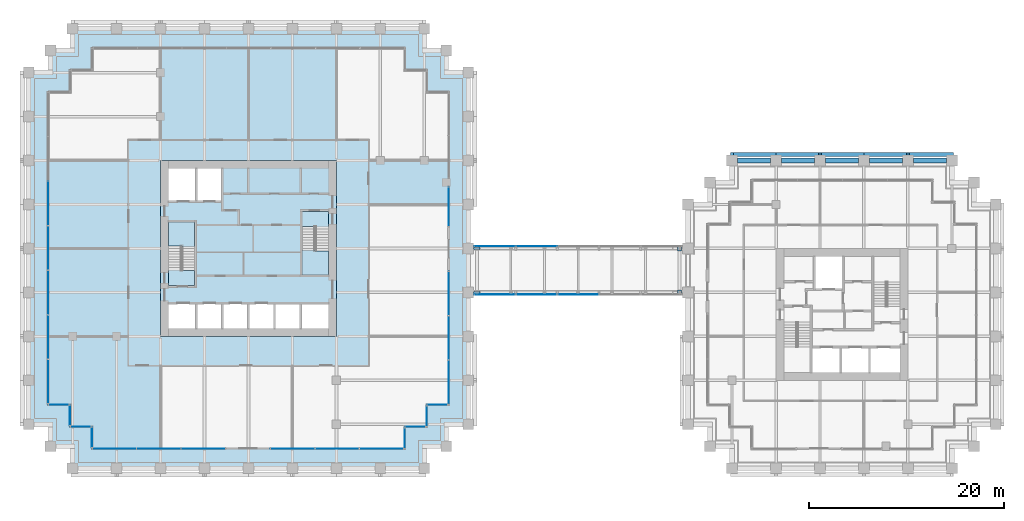
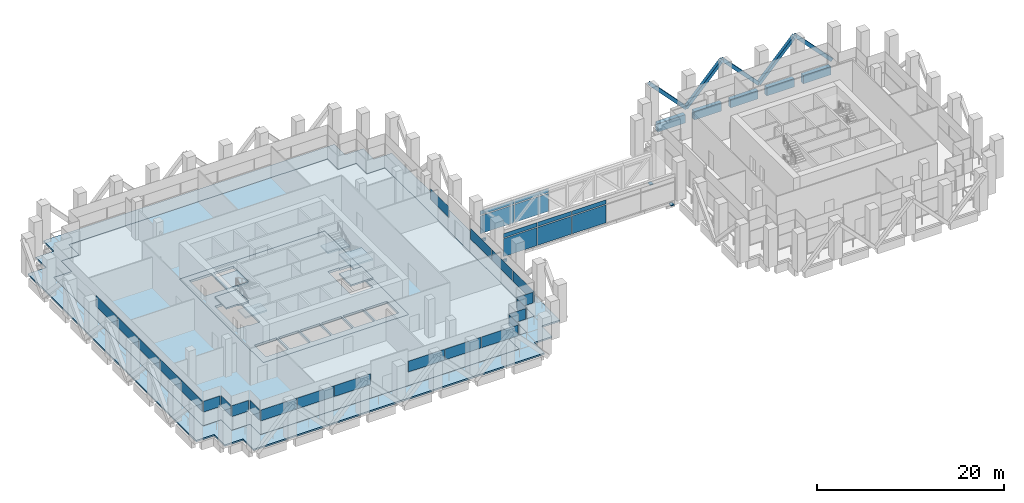
# One storey, part 34 of 44: 33 plates, 9 slabs, 7 beams, 7 members, 17 elements without a shape of their own.
"""IFC4 building model written with IfcOpenShell, lengths in metres."""

from ifc_helpers import new_model, si_unit, direction, frame, origin, origin_2d, place, context, subcontext, project, spatial, polyline, rectangle, hollow_rectangle, outline, extrude, material, layer, layer_set, material_profile, profile_set, type_object, element, aggregate, save


model = new_model("IFC4")

# Units and contexts
model_context = context("Model", 3, precision=1e-05, world=origin(), true_north=direction((0.0, 1.0)))
body_context = subcontext(model_context, "Body", "Model", "MODEL_VIEW")
ifc_project = project(units=[si_unit("LENGTHUNIT", "METRE"), si_unit("AREAUNIT", "SQUARE_METRE"), si_unit("VOLUMEUNIT", "CUBIC_METRE"), si_unit("PLANEANGLEUNIT", "RADIAN"), si_unit("MASSUNIT", "GRAM", prefix="KILO")], contexts=[model_context])

# Site, building, storey
site_placement = place(None, origin())
site = spatial("IfcSite", under=ifc_project, at=site_placement, CompositionType="ELEMENT")
building_placement = place(site_placement, origin())
building = spatial("IfcBuilding", under=site, at=building_placement, Name="Altepetl Exchange Towers", CompositionType="ELEMENT")
storey_placement = place(building_placement, frame((0.0, 0.0, 87.0)))
storey = spatial("IfcBuildingStorey", under=building, at=storey_placement, Name="L21 Refuge", CompositionType="ELEMENT", Elevation=87.0)

# Members
ifc_material_1 = material(Name="Steel S355", Category="steel")
ifc_material_profile_1 = material_profile(ifc_material_1, hollow_rectangle(XDim=0.406005859375, YDim=0.406005859375, WallThickness=0.014892578125, at=origin_2d()), Name="HSS406X406X15.9")
ifc_profile_set_1 = profile_set([ifc_material_profile_1], Name="Steel S355")
member_type_1 = type_object("IfcMemberType", Name="Belt diagonal HSS406X406X15.9", PredefinedType="BRACE", material=ifc_profile_set_1)
for number, where, z_axis, x_axis, name in (
    (1, (121.5, 59.1298828125, 0.0), (-0.687744647911, 0.0, 0.725952683906), (0.0, -1.0, 0.0), "brc:B:L21:010"),
    (2, (117.0, 59.1298828125, 4.75), (-0.687744647911, 0.0, -0.725952683906), (0.0, -1.0, 0.0), "brc:B:L21:011"),
    (3, (112.5, 59.1298828125, 0.0), (-0.687744647911, 0.0, 0.725952683906), (0.0, -1.0, 0.0), "brc:B:L21:012"),
    (4, (108.0, 59.1298828125, 4.75), (-0.687744647911, 0.0, -0.725952683906), (0.0, -1.0, 0.0), "brc:B:L21:013"),
    (5, (103.5, 59.1298828125, 0.0), (-0.687744647911, 0.0, 0.725952683906), (0.0, -1.0, 0.0), "brc:B:L21:014"),
):
    element("IfcMember", number, at=place(storey_placement, frame(where, z_axis=z_axis, x_axis=x_axis)), inside=storey, type_object=member_type_1, Name=name, PredefinedType="BRACE", context=body_context, shape_type="SweptSolid", body=[
        extrude(hollow_rectangle(XDim=0.406005859375, YDim=0.406005859375, WallThickness=0.014892578125, at=origin_2d()), origin(), (0.0, 0.0, 1.0), 6.543212890625),
    ])

# Beams
ifc_material_profile_2 = material_profile(ifc_material_1, hollow_rectangle(XDim=0.202880859375, YDim=0.304931640625, WallThickness=0.01171875, at=origin_2d()), Name="HSS305X203X12.7")
ifc_profile_set_2 = profile_set([ifc_material_profile_2], Name="Steel S355")
beam_type_1 = type_object("IfcBeamType", Name="Bridge deck beam HSS305X203X12.7", PredefinedType="BEAM", material=ifc_profile_set_2)
for number, where, z_axis, x_axis, name in (
    (6, (72.550048828125, 45.0, -0.70849609375), (1.0, 0.0, 0.0), (0.0, 1.0, 0.0), "bm:X:L21:corbel-as"),
    (7, (72.550048828125, 49.5, -0.70849609375), (1.0, 0.0, 0.0), (0.0, 1.0, 0.0), "bm:X:L21:corbel-an"),
):
    element("IfcBeam", number, at=place(storey_placement, frame(where, z_axis=z_axis, x_axis=x_axis)), inside=storey, type_object=beam_type_1, Name=name, PredefinedType="BEAM", context=body_context, shape_type="SweptSolid", body=[
        extrude(hollow_rectangle(XDim=0.202880859375, YDim=0.304931640625, WallThickness=0.01171875, at=origin_2d()), origin(), (0.0, 0.0, 1.0), 0.64990234375),
    ])

# Members
ifc_material_2 = material(Name="Steel S460", Category="steel")
ifc_material_profile_3 = material_profile(ifc_material_2, rectangle(XDim=0.5, YDim=0.1201171875, at=origin_2d()), Name="500 x 120")
ifc_profile_set_3 = profile_set([ifc_material_profile_3], Name="Steel S460")
member_type_2 = type_object("IfcMemberType", Name="Sliding bearing 500x120", PredefinedType="USERDEFINED", material=ifc_profile_set_3)
for number, where, z_axis, x_axis, name in (
    (8, (93.39990234375, 45.0, -0.615966796875), (1.0, 0.0, 0.0), (0.0, 1.0, 0.0), "Sliding bearing BR1S"),
    (9, (93.39990234375, 49.5, -0.615966796875), (1.0, 0.0, 0.0), (0.0, 1.0, 0.0), "Sliding bearing BR1N"),
):
    element("IfcMember", number, at=place(storey_placement, frame(where, z_axis=z_axis, x_axis=x_axis)), inside=storey, type_object=member_type_2, Name=name, ObjectType="BEARING", PredefinedType="USERDEFINED", context=body_context, shape_type="SweptSolid", body=[
        extrude(rectangle(XDim=0.5, YDim=0.1201171875, at=origin_2d()), origin(), (0.0, 0.0, 1.0), 0.400146484375),
    ])

# Beams
ifc_material_3 = material(Name="Concrete C50/60 precast with cantera amarilla facing", Category="concrete")
ifc_material_profile_4 = material_profile(ifc_material_3, rectangle(XDim=0.5, YDim=1.10009765625, at=origin_2d()), Name="500 x 1100")
ifc_profile_set_4 = profile_set([ifc_material_profile_4], Name="Concrete C50/60 precast with cantera amarilla facing")
beam_type_2 = type_object("IfcBeamType", Name="Spandrel beam 500x1100 cantera amarilla", PredefinedType="SPANDREL", material=ifc_profile_set_4)
for number, where, z_axis, x_axis, name in (
    (10, (120.949951171875, 58.5, -0.75), (-1.0, 0.0, 0.0), (0.0, -1.0, 0.0), "sp:B:L21:018"),
    (11, (116.449951171875, 58.5, -0.75), (-1.0, 0.0, 0.0), (0.0, -1.0, 0.0), "sp:B:L21:019"),
    (12, (111.949951171875, 58.5, -0.75), (-1.0, 0.0, 0.0), (0.0, -1.0, 0.0), "sp:B:L21:020"),
    (13, (107.449951171875, 58.5, -0.75), (-1.0, 0.0, 0.0), (0.0, -1.0, 0.0), "sp:B:L21:021"),
):
    element("IfcBeam", number, at=place(storey_placement, frame(where, z_axis=z_axis, x_axis=x_axis)), inside=storey, type_object=beam_type_2, Name=name, PredefinedType="SPANDREL", context=body_context, shape_type="SweptSolid", body=[
        extrude(rectangle(XDim=0.5, YDim=1.10009765625, at=origin_2d()), origin(), (0.0, 0.0, 1.0), 3.39990234375),
    ])
ifc_material_4 = material(Name="Concrete C50/60 precast with cantera rosa facing", Category="concrete")
ifc_material_profile_5 = material_profile(ifc_material_4, rectangle(XDim=0.5, YDim=1.10009765625, at=origin_2d()), Name="500 x 1100")
ifc_profile_set_5 = profile_set([ifc_material_profile_5], Name="Concrete C50/60 precast with cantera rosa facing")
beam_type_3 = type_object("IfcBeamType", Name="Spandrel beam 500x1100 cantera rosa", PredefinedType="SPANDREL", material=ifc_profile_set_5)
beam_placement = place(storey_placement, frame((102.949951171875, 58.5, -0.75), z_axis=(-1.0, 0.0, 0.0), x_axis=(0.0, -1.0, 0.0)))
element("IfcBeam", 14, at=beam_placement, inside=storey, type_object=beam_type_3, Name="sp:B:L21:022", PredefinedType="SPANDREL", context=body_context, shape_type="SweptSolid", body=[
    extrude(rectangle(XDim=0.5, YDim=1.10009765625, at=origin_2d()), origin(), (0.0, 0.0, 1.0), 3.39990234375),
])

# Slabs
ifc_material_5 = material(Name="Concrete C40/50", Category="concrete")
ifc_layer_1 = layer(ifc_material_5, 0.199951171875)
ifc_layer_set_1 = layer_set([ifc_layer_1], Name="Concrete C40/50")
slab_type_1 = type_object("IfcSlabType", Name="Composite floor slab 200", PredefinedType="FLOOR", material=ifc_layer_set_1)
slab_1_placement = place(storey_placement, frame((0.0, 0.0, -0.199951171875)))
element("IfcSlab", 15, at=slab_1_placement, inside=storey, type_object=slab_type_1, Name="slab:A:L21:strip0", PredefinedType="FLOOR", context=body_context, shape_type="SweptSolid", body=[
    extrude(outline(polyline([(31.25, 67.75), (31.25, 65.5), (29.0, 65.5), (29.0, 33.5), (31.25, 33.5), (31.25, 31.25), (33.5, 31.25), (33.5, 29.0), (65.5, 29.0), (65.5, 31.25), (67.75, 31.25), (67.75, 33.5), (70.0, 33.5), (70.0, 65.5), (67.75, 65.5), (67.75, 67.75), (65.5, 67.75), (65.5, 70.0), (33.5, 70.0), (33.5, 67.75), (31.25, 67.75)]), holes=[polyline([(58.5, 58.5), (58.5, 40.5), (40.5, 40.5), (40.5, 58.5), (58.5, 58.5)])]), origin(), (0.0, 0.0, 1.0), 0.199951171875),
])
ifc_layer_2 = layer(ifc_material_5, 0.300048828125)
ifc_layer_set_2 = layer_set([ifc_layer_2], Name="Concrete C40/50")
slab_type_2 = type_object("IfcSlabType", Name="Core floor slab 300", PredefinedType="FLOOR", material=ifc_layer_set_2)
slab_2_placement = place(storey_placement, frame((0.0, 0.0, -0.300048828125)))
element("IfcSlab", 16, at=slab_2_placement, inside=storey, type_object=slab_type_2, Name="slab:A:L21:core0", PredefinedType="FLOOR", context=body_context, shape_type="SweptSolid", body=[
    extrude(outline(polyline([(40.5, 40.5), (58.5, 40.5), (58.5, 58.5), (40.5, 58.5), (40.5, 40.5)]), holes=[polyline([(41.300048828125, 43.800048828125), (44.06689453125, 43.800048828125), (44.06689453125, 41.300048828125), (41.300048828125, 41.300048828125), (41.300048828125, 43.800048828125)]), polyline([(44.26708984375, 43.800048828125), (46.73291015625, 43.800048828125), (46.73291015625, 41.300048828125), (44.26708984375, 41.300048828125), (44.26708984375, 43.800048828125)]), polyline([(46.93310546875, 43.800048828125), (49.39990234375, 43.800048828125), (49.39990234375, 41.300048828125), (46.93310546875, 41.300048828125), (46.93310546875, 43.800048828125)]), polyline([(52.06689453125, 43.800048828125), (52.06689453125, 41.300048828125), (49.60009765625, 41.300048828125), (49.60009765625, 43.800048828125), (52.06689453125, 43.800048828125)]), polyline([(54.73291015625, 43.800048828125), (54.73291015625, 41.300048828125), (52.26708984375, 41.300048828125), (52.26708984375, 43.800048828125), (54.73291015625, 43.800048828125)]), polyline([(54.93310546875, 43.800048828125), (57.699951171875, 43.800048828125), (57.699951171875, 41.300048828125), (54.93310546875, 41.300048828125), (54.93310546875, 43.800048828125)]), polyline([(55.0, 51.7490234375), (56.39990234375, 51.7490234375), (56.39990234375, 51.64990234375), (57.699951171875, 51.64990234375), (57.699951171875, 46.800048828125), (55.0, 46.800048828125), (55.0, 51.7490234375)]), polyline([(44.0, 47.2509765625), (42.60009765625, 47.2509765625), (42.60009765625, 47.35009765625), (41.300048828125, 47.35009765625), (41.300048828125, 52.199951171875), (44.0, 52.199951171875), (44.0, 47.2509765625)]), polyline([(44.06689453125, 57.699951171875), (44.06689453125, 54.39990234375), (41.300048828125, 54.39990234375), (41.300048828125, 57.699951171875), (44.06689453125, 57.699951171875)]), polyline([(46.73291015625, 57.699951171875), (46.73291015625, 54.39990234375), (44.26708984375, 54.39990234375), (44.26708984375, 57.699951171875), (46.73291015625, 57.699951171875)])]), origin(), (0.0, 0.0, 1.0), 0.300048828125),
])

# Curtain wall, plates
ifc_material_6 = material(Name="Aluminium 6063-T6 glazing", Category="aluminium")
curtain_wall_type_1 = type_object("IfcCurtainWallType", Name="Bridge enclosure system", PredefinedType="NOTDEFINED", material=ifc_material_6)
curtain_wall_1_placement = place(storey_placement, origin())
curtain_wall_1 = element("IfcCurtainWall", 17, at=curtain_wall_1_placement, inside=storey, type_object=curtain_wall_type_1, Name="CW6 run", PredefinedType="NOTDEFINED")
ifc_material_7 = material(Name="Glass 6-16-6 low emissivity", Category="glass")
ifc_layer_3 = layer(ifc_material_7, 0.028076171875)
ifc_layer_set_3 = layer_set([ifc_layer_3], Name="Glass 6-16-6 low emissivity")
plate_type_1 = type_object("IfcPlateType", Name="Glass panel 28 double glazed", PredefinedType="CURTAIN_PANEL", material=ifc_layer_set_3)
plate_1_placement = place(storey_placement, frame((74.7451171875, 44.784912109375, 0.0)))
plate_1 = element("IfcPlate", 18, at=plate_1_placement, type_object=plate_type_1, Name="GP1 panel", PredefinedType="CURTAIN_PANEL", context=body_context, shape_type="SweptSolid", body=[
    extrude(rectangle(XDim=4.169921875, YDim=0.028076171875, at=origin_2d()), origin(), (0.0, 0.0, 1.0), 2.340087890625),
])
plate_2_placement = place(storey_placement, frame((74.7451171875, 44.784912109375, 2.4599609375)))
plate_2 = element("IfcPlate", 19, at=plate_2_placement, type_object=plate_type_1, Name="GP1 panel", PredefinedType="CURTAIN_PANEL", context=body_context, shape_type="SweptSolid", body=[
    extrude(rectangle(XDim=4.169921875, YDim=0.028076171875, at=origin_2d()), origin(), (0.0, 0.0, 1.0), 0.5400390625),
])
plate_3_placement = place(storey_placement, frame((78.989990234375, 44.784912109375, 0.0)))
plate_3 = element("IfcPlate", 20, at=plate_3_placement, type_object=plate_type_1, Name="GP1 panel", PredefinedType="CURTAIN_PANEL", context=body_context, shape_type="SweptSolid", body=[
    extrude(rectangle(XDim=4.199951171875, YDim=0.028076171875, at=origin_2d()), origin(), (0.0, 0.0, 1.0), 2.340087890625),
])
plate_4_placement = place(storey_placement, frame((78.989990234375, 44.784912109375, 2.4599609375)))
plate_4 = element("IfcPlate", 21, at=plate_4_placement, type_object=plate_type_1, Name="GP1 panel", PredefinedType="CURTAIN_PANEL", context=body_context, shape_type="SweptSolid", body=[
    extrude(rectangle(XDim=4.199951171875, YDim=0.028076171875, at=origin_2d()), origin(), (0.0, 0.0, 1.0), 0.5400390625),
])
plate_5_placement = place(storey_placement, frame((83.25, 44.784912109375, 0.0)))
plate_5 = element("IfcPlate", 22, at=plate_5_placement, type_object=plate_type_1, Name="GP1 panel", PredefinedType="CURTAIN_PANEL", context=body_context, shape_type="SweptSolid", body=[
    extrude(rectangle(XDim=4.199951171875, YDim=0.028076171875, at=origin_2d()), origin(), (0.0, 0.0, 1.0), 2.340087890625),
])
plate_6_placement = place(storey_placement, frame((83.25, 44.784912109375, 2.4599609375)))
plate_6 = element("IfcPlate", 23, at=plate_6_placement, type_object=plate_type_1, Name="GP1 panel", PredefinedType="CURTAIN_PANEL", context=body_context, shape_type="SweptSolid", body=[
    extrude(rectangle(XDim=4.199951171875, YDim=0.028076171875, at=origin_2d()), origin(), (0.0, 0.0, 1.0), 0.5400390625),
])
aggregate(curtain_wall_1, [plate_1, plate_2, plate_3, plate_4, plate_5, plate_6])

curtain_wall_2_placement = place(storey_placement, origin())
curtain_wall_2 = element("IfcCurtainWall", 24, at=curtain_wall_2_placement, inside=storey, type_object=curtain_wall_type_1, Name="CW6 run", PredefinedType="NOTDEFINED")
plate_7_placement = place(storey_placement, frame((74.7451171875, 49.715087890625, 0.0)))
plate_7 = element("IfcPlate", 25, at=plate_7_placement, type_object=plate_type_1, Name="GP1 panel", PredefinedType="CURTAIN_PANEL", context=body_context, shape_type="SweptSolid", body=[
    extrude(rectangle(XDim=4.169921875, YDim=0.028076171875, at=origin_2d()), origin(), (0.0, 0.0, 1.0), 2.340087890625),
])
plate_8_placement = place(storey_placement, frame((74.7451171875, 49.715087890625, 2.4599609375)))
plate_8 = element("IfcPlate", 26, at=plate_8_placement, type_object=plate_type_1, Name="GP1 panel", PredefinedType="CURTAIN_PANEL", context=body_context, shape_type="SweptSolid", body=[
    extrude(rectangle(XDim=4.169921875, YDim=0.028076171875, at=origin_2d()), origin(), (0.0, 0.0, 1.0), 0.5400390625),
])
plate_9_placement = place(storey_placement, frame((78.989990234375, 49.715087890625, 0.0)))
plate_9 = element("IfcPlate", 27, at=plate_9_placement, type_object=plate_type_1, Name="GP1 panel", PredefinedType="CURTAIN_PANEL", context=body_context, shape_type="SweptSolid", body=[
    extrude(rectangle(XDim=4.199951171875, YDim=0.028076171875, at=origin_2d()), origin(), (0.0, 0.0, 1.0), 2.340087890625),
])
plate_10_placement = place(storey_placement, frame((78.989990234375, 49.715087890625, 2.4599609375)))
plate_10 = element("IfcPlate", 28, at=plate_10_placement, type_object=plate_type_1, Name="GP1 panel", PredefinedType="CURTAIN_PANEL", context=body_context, shape_type="SweptSolid", body=[
    extrude(rectangle(XDim=4.199951171875, YDim=0.028076171875, at=origin_2d()), origin(), (0.0, 0.0, 1.0), 0.5400390625),
])
aggregate(curtain_wall_2, [plate_7, plate_8, plate_9, plate_10])

curtain_wall_type_2 = type_object("IfcCurtainWallType", Name="Refuge slit glazing system", PredefinedType="NOTDEFINED", material=ifc_material_6)
curtain_wall_3_placement = place(storey_placement, origin())
curtain_wall_3 = element("IfcCurtainWall", 29, at=curtain_wall_3_placement, inside=storey, type_object=curtain_wall_type_2, Name="CW3 run", PredefinedType="NOTDEFINED")
ifc_material_8 = material(Name="Glass 8-20-8 solar control", Category="glass")
ifc_layer_4 = layer(ifc_material_8, 0.035888671875)
ifc_layer_set_4 = layer_set([ifc_layer_4], Name="Glass 8-20-8 solar control")
plate_type_2 = type_object("IfcPlateType", Name="Glass panel 36 double glazed", PredefinedType="CURTAIN_PANEL", material=ifc_layer_set_4)
plate_11_placement = place(storey_placement, frame((29.0, 54.107177734375, 1.800048828125), z_axis=(0.0, 0.0, 1.0), x_axis=(0.0, -1.0, 0.0)))
plate_11 = element("IfcPlate", 30, at=plate_11_placement, type_object=plate_type_2, Name="GP2 panel", PredefinedType="CURTAIN_PANEL", context=body_context, shape_type="SweptSolid", body=[
    extrude(rectangle(XDim=4.4970703125, YDim=0.035888671875, at=origin_2d()), origin(), (0.0, 0.0, 1.0), 1.39990234375),
])
plate_12_placement = place(storey_placement, frame((29.0, 49.550048828125, 1.800048828125), z_axis=(0.0, 0.0, 1.0), x_axis=(0.0, -1.0, 0.0)))
plate_12 = element("IfcPlate", 31, at=plate_12_placement, type_object=plate_type_2, Name="GP2 panel", PredefinedType="CURTAIN_PANEL", context=body_context, shape_type="SweptSolid", body=[
    extrude(rectangle(XDim=4.4970703125, YDim=0.035888671875, at=origin_2d()), origin(), (0.0, 0.0, 1.0), 1.39990234375),
])
plate_13_placement = place(storey_placement, frame((29.0, 44.992919921875, 1.800048828125), z_axis=(0.0, 0.0, 1.0), x_axis=(0.0, -1.0, 0.0)))
plate_13 = element("IfcPlate", 32, at=plate_13_placement, type_object=plate_type_2, Name="GP2 panel", PredefinedType="CURTAIN_PANEL", context=body_context, shape_type="SweptSolid", body=[
    extrude(rectangle(XDim=4.4970703125, YDim=0.035888671875, at=origin_2d()), origin(), (0.0, 0.0, 1.0), 1.39990234375),
])
plate_14_placement = place(storey_placement, frame((29.0, 40.435791015625, 1.800048828125), z_axis=(0.0, 0.0, 1.0), x_axis=(0.0, -1.0, 0.0)))
plate_14 = element("IfcPlate", 33, at=plate_14_placement, type_object=plate_type_2, Name="GP2 panel", PredefinedType="CURTAIN_PANEL", context=body_context, shape_type="SweptSolid", body=[
    extrude(rectangle(XDim=4.4970703125, YDim=0.035888671875, at=origin_2d()), origin(), (0.0, 0.0, 1.0), 1.39990234375),
])
plate_15_placement = place(storey_placement, frame((29.0, 35.8935546875, 1.800048828125), z_axis=(0.0, 0.0, 1.0), x_axis=(0.0, -1.0, 0.0)))
plate_15 = element("IfcPlate", 34, at=plate_15_placement, type_object=plate_type_2, Name="GP2 panel", PredefinedType="CURTAIN_PANEL", context=body_context, shape_type="SweptSolid", body=[
    extrude(rectangle(XDim=4.467041015625, YDim=0.035888671875, at=origin_2d()), origin(), (0.0, 0.0, 1.0), 1.39990234375),
])
aggregate(curtain_wall_3, [plate_11, plate_12, plate_13, plate_14, plate_15])

# Curtain wall, plate
curtain_wall_4_placement = place(storey_placement, origin())
curtain_wall_4 = element("IfcCurtainWall", 35, at=curtain_wall_4_placement, inside=storey, type_object=curtain_wall_type_2, Name="CW3 run", PredefinedType="NOTDEFINED")
plate_16_placement = place(storey_placement, frame((30.074951171875, 33.5, 1.800048828125)))
plate_16 = element("IfcPlate", 36, at=plate_16_placement, type_object=plate_type_2, Name="GP2 panel", PredefinedType="CURTAIN_PANEL", context=body_context, shape_type="SweptSolid", body=[
    extrude(rectangle(XDim=2.030029296875, YDim=0.035888671875, at=origin_2d()), origin(), (0.0, 0.0, 1.0), 1.39990234375),
])
aggregate(curtain_wall_4, [plate_16])

curtain_wall_5_placement = place(storey_placement, origin())
curtain_wall_5 = element("IfcCurtainWall", 37, at=curtain_wall_5_placement, inside=storey, type_object=curtain_wall_type_2, Name="CW3 run", PredefinedType="NOTDEFINED")
plate_17_placement = place(storey_placement, frame((31.25, 32.425048828125, 1.800048828125), z_axis=(0.0, 0.0, 1.0), x_axis=(0.0, -1.0, 0.0)))
plate_17 = element("IfcPlate", 38, at=plate_17_placement, type_object=plate_type_2, Name="GP2 panel", PredefinedType="CURTAIN_PANEL", context=body_context, shape_type="SweptSolid", body=[
    extrude(rectangle(XDim=2.030029296875, YDim=0.035888671875, at=origin_2d()), origin(), (0.0, 0.0, 1.0), 1.39990234375),
])
aggregate(curtain_wall_5, [plate_17])

curtain_wall_6_placement = place(storey_placement, origin())
curtain_wall_6 = element("IfcCurtainWall", 39, at=curtain_wall_6_placement, inside=storey, type_object=curtain_wall_type_2, Name="CW3 run", PredefinedType="NOTDEFINED")
plate_18_placement = place(storey_placement, frame((32.324951171875, 31.25, 1.800048828125)))
plate_18 = element("IfcPlate", 40, at=plate_18_placement, type_object=plate_type_2, Name="GP2 panel", PredefinedType="CURTAIN_PANEL", context=body_context, shape_type="SweptSolid", body=[
    extrude(rectangle(XDim=2.030029296875, YDim=0.035888671875, at=origin_2d()), origin(), (0.0, 0.0, 1.0), 1.39990234375),
])
aggregate(curtain_wall_6, [plate_18])

curtain_wall_7_placement = place(storey_placement, origin())
curtain_wall_7 = element("IfcCurtainWall", 41, at=curtain_wall_7_placement, inside=storey, type_object=curtain_wall_type_2, Name="CW3 run", PredefinedType="NOTDEFINED")
plate_19_placement = place(storey_placement, frame((33.5, 30.175048828125, 1.800048828125), z_axis=(0.0, 0.0, 1.0), x_axis=(0.0, -1.0, 0.0)))
plate_19 = element("IfcPlate", 42, at=plate_19_placement, type_object=plate_type_2, Name="GP2 panel", PredefinedType="CURTAIN_PANEL", context=body_context, shape_type="SweptSolid", body=[
    extrude(rectangle(XDim=2.030029296875, YDim=0.035888671875, at=origin_2d()), origin(), (0.0, 0.0, 1.0), 1.39990234375),
])
aggregate(curtain_wall_7, [plate_19])

# Curtain wall, plates
curtain_wall_8_placement = place(storey_placement, origin())
curtain_wall_8 = element("IfcCurtainWall", 43, at=curtain_wall_8_placement, inside=storey, type_object=curtain_wall_type_2, Name="CW3 run", PredefinedType="NOTDEFINED")
plate_20_placement = place(storey_placement, frame((35.79345703125, 29.0, 1.800048828125)))
plate_20 = element("IfcPlate", 44, at=plate_20_placement, type_object=plate_type_2, Name="GP2 panel", PredefinedType="CURTAIN_PANEL", context=body_context, shape_type="SweptSolid", body=[
    extrude(rectangle(XDim=4.467041015625, YDim=0.035888671875, at=origin_2d()), origin(), (0.0, 0.0, 1.0), 1.39990234375),
])
plate_21_placement = place(storey_placement, frame((40.335693359375, 29.0, 1.800048828125)))
plate_21 = element("IfcPlate", 45, at=plate_21_placement, type_object=plate_type_2, Name="GP2 panel", PredefinedType="CURTAIN_PANEL", context=body_context, shape_type="SweptSolid", body=[
    extrude(rectangle(XDim=4.4970703125, YDim=0.035888671875, at=origin_2d()), origin(), (0.0, 0.0, 1.0), 1.39990234375),
])
plate_22_placement = place(storey_placement, frame((44.8779296875, 29.0, 1.800048828125)))
plate_22 = element("IfcPlate", 46, at=plate_22_placement, type_object=plate_type_2, Name="GP2 panel", PredefinedType="CURTAIN_PANEL", context=body_context, shape_type="SweptSolid", body=[
    extrude(rectangle(XDim=4.467041015625, YDim=0.035888671875, at=origin_2d()), origin(), (0.0, 0.0, 1.0), 1.39990234375),
])
aggregate(curtain_wall_8, [plate_20, plate_21, plate_22])

curtain_wall_9_placement = place(storey_placement, origin())
curtain_wall_9 = element("IfcCurtainWall", 47, at=curtain_wall_9_placement, inside=storey, type_object=curtain_wall_type_2, Name="CW3 run", PredefinedType="NOTDEFINED")
plate_23_placement = place(storey_placement, frame((54.022216796875, 29.0, 1.800048828125)))
plate_23 = element("IfcPlate", 48, at=plate_23_placement, type_object=plate_type_2, Name="GP2 panel", PredefinedType="CURTAIN_PANEL", context=body_context, shape_type="SweptSolid", body=[
    extrude(rectangle(XDim=4.467041015625, YDim=0.035888671875, at=origin_2d()), origin(), (0.0, 0.0, 1.0), 1.39990234375),
])
plate_24_placement = place(storey_placement, frame((58.564208984375, 29.0, 1.800048828125)))
plate_24 = element("IfcPlate", 49, at=plate_24_placement, type_object=plate_type_2, Name="GP2 panel", PredefinedType="CURTAIN_PANEL", context=body_context, shape_type="SweptSolid", body=[
    extrude(rectangle(XDim=4.4970703125, YDim=0.035888671875, at=origin_2d()), origin(), (0.0, 0.0, 1.0), 1.39990234375),
])
plate_25_placement = place(storey_placement, frame((63.1064453125, 29.0, 1.800048828125)))
plate_25 = element("IfcPlate", 50, at=plate_25_placement, type_object=plate_type_2, Name="GP2 panel", PredefinedType="CURTAIN_PANEL", context=body_context, shape_type="SweptSolid", body=[
    extrude(rectangle(XDim=4.467041015625, YDim=0.035888671875, at=origin_2d()), origin(), (0.0, 0.0, 1.0), 1.39990234375),
])
aggregate(curtain_wall_9, [plate_23, plate_24, plate_25])

# Curtain wall, plate
curtain_wall_10_placement = place(storey_placement, origin())
curtain_wall_10 = element("IfcCurtainWall", 51, at=curtain_wall_10_placement, inside=storey, type_object=curtain_wall_type_2, Name="CW3 run", PredefinedType="NOTDEFINED")
plate_26_placement = place(storey_placement, frame((65.5, 30.074951171875, 1.800048828125), z_axis=(0.0, 0.0, 1.0), x_axis=(0.0, 1.0, 0.0)))
plate_26 = element("IfcPlate", 52, at=plate_26_placement, type_object=plate_type_2, Name="GP2 panel", PredefinedType="CURTAIN_PANEL", context=body_context, shape_type="SweptSolid", body=[
    extrude(rectangle(XDim=2.030029296875, YDim=0.035888671875, at=origin_2d()), origin(), (0.0, 0.0, 1.0), 1.39990234375),
])
aggregate(curtain_wall_10, [plate_26])

curtain_wall_11_placement = place(storey_placement, origin())
curtain_wall_11 = element("IfcCurtainWall", 53, at=curtain_wall_11_placement, inside=storey, type_object=curtain_wall_type_2, Name="CW3 run", PredefinedType="NOTDEFINED")
plate_27_placement = place(storey_placement, frame((66.574951171875, 31.25, 1.800048828125)))
plate_27 = element("IfcPlate", 54, at=plate_27_placement, type_object=plate_type_2, Name="GP2 panel", PredefinedType="CURTAIN_PANEL", context=body_context, shape_type="SweptSolid", body=[
    extrude(rectangle(XDim=2.030029296875, YDim=0.035888671875, at=origin_2d()), origin(), (0.0, 0.0, 1.0), 1.39990234375),
])
aggregate(curtain_wall_11, [plate_27])

curtain_wall_12_placement = place(storey_placement, origin())
curtain_wall_12 = element("IfcCurtainWall", 55, at=curtain_wall_12_placement, inside=storey, type_object=curtain_wall_type_2, Name="CW3 run", PredefinedType="NOTDEFINED")
plate_28_placement = place(storey_placement, frame((67.75, 32.324951171875, 1.800048828125), z_axis=(0.0, 0.0, 1.0), x_axis=(0.0, 1.0, 0.0)))
plate_28 = element("IfcPlate", 56, at=plate_28_placement, type_object=plate_type_2, Name="GP2 panel", PredefinedType="CURTAIN_PANEL", context=body_context, shape_type="SweptSolid", body=[
    extrude(rectangle(XDim=2.030029296875, YDim=0.035888671875, at=origin_2d()), origin(), (0.0, 0.0, 1.0), 1.39990234375),
])
aggregate(curtain_wall_12, [plate_28])

curtain_wall_13_placement = place(storey_placement, origin())
curtain_wall_13 = element("IfcCurtainWall", 57, at=curtain_wall_13_placement, inside=storey, type_object=curtain_wall_type_2, Name="CW3 run", PredefinedType="NOTDEFINED")
plate_29_placement = place(storey_placement, frame((68.824951171875, 33.5, 1.800048828125)))
plate_29 = element("IfcPlate", 58, at=plate_29_placement, type_object=plate_type_2, Name="GP2 panel", PredefinedType="CURTAIN_PANEL", context=body_context, shape_type="SweptSolid", body=[
    extrude(rectangle(XDim=2.030029296875, YDim=0.035888671875, at=origin_2d()), origin(), (0.0, 0.0, 1.0), 1.39990234375),
])
aggregate(curtain_wall_13, [plate_29])

# Curtain wall, plates
curtain_wall_14_placement = place(storey_placement, origin())
curtain_wall_14 = element("IfcCurtainWall", 59, at=curtain_wall_14_placement, inside=storey, type_object=curtain_wall_type_2, Name="CW3 run", PredefinedType="NOTDEFINED")
plate_30_placement = place(storey_placement, frame((70.0, 35.79345703125, 1.800048828125), z_axis=(0.0, 0.0, 1.0), x_axis=(0.0, 1.0, 0.0)))
plate_30 = element("IfcPlate", 60, at=plate_30_placement, type_object=plate_type_2, Name="GP2 panel", PredefinedType="CURTAIN_PANEL", context=body_context, shape_type="SweptSolid", body=[
    extrude(rectangle(XDim=4.467041015625, YDim=0.035888671875, at=origin_2d()), origin(), (0.0, 0.0, 1.0), 1.39990234375),
])
plate_31_placement = place(storey_placement, frame((70.0, 40.335693359375, 1.800048828125), z_axis=(0.0, 0.0, 1.0), x_axis=(0.0, 1.0, 0.0)))
plate_31 = element("IfcPlate", 61, at=plate_31_placement, type_object=plate_type_2, Name="GP2 panel", PredefinedType="CURTAIN_PANEL", context=body_context, shape_type="SweptSolid", body=[
    extrude(rectangle(XDim=4.4970703125, YDim=0.035888671875, at=origin_2d()), origin(), (0.0, 0.0, 1.0), 1.39990234375),
])
plate_32_placement = place(storey_placement, frame((70.0, 44.8779296875, 1.800048828125), z_axis=(0.0, 0.0, 1.0), x_axis=(0.0, 1.0, 0.0)))
plate_32 = element("IfcPlate", 62, at=plate_32_placement, type_object=plate_type_2, Name="GP2 panel", PredefinedType="CURTAIN_PANEL", context=body_context, shape_type="SweptSolid", body=[
    extrude(rectangle(XDim=4.467041015625, YDim=0.035888671875, at=origin_2d()), origin(), (0.0, 0.0, 1.0), 1.39990234375),
])
aggregate(curtain_wall_14, [plate_30, plate_31, plate_32])

# Curtain wall, plate
curtain_wall_15_placement = place(storey_placement, origin())
curtain_wall_15 = element("IfcCurtainWall", 63, at=curtain_wall_15_placement, inside=storey, type_object=curtain_wall_type_2, Name="CW3 run", PredefinedType="NOTDEFINED")
plate_33_placement = place(storey_placement, frame((70.0, 53.766845703125, 1.800048828125), z_axis=(0.0, 0.0, 1.0), x_axis=(0.0, 1.0, 0.0)))
plate_33 = element("IfcPlate", 64, at=plate_33_placement, type_object=plate_type_2, Name="GP2 panel", PredefinedType="CURTAIN_PANEL", context=body_context, shape_type="SweptSolid", body=[
    extrude(rectangle(XDim=3.95654296875, YDim=0.035888671875, at=origin_2d()), origin(), (0.0, 0.0, 1.0), 1.39990234375),
])
aggregate(curtain_wall_15, [plate_33])

# Slab
ifc_layer_5 = layer(ifc_material_5, 0.199951171875)
ifc_layer_set_5 = layer_set([ifc_layer_5], Name="Concrete C40/50")
slab_type_3 = type_object("IfcSlabType", Name="Loggia slab 200", PredefinedType="FLOOR", material=ifc_layer_set_5)
slab_3_placement = place(storey_placement, frame((0.0, 0.0, -0.199951171875)))
element("IfcSlab", 65, at=slab_3_placement, inside=storey, type_object=slab_type_3, Name="slab:A:L21:loggia0", PredefinedType="FLOOR", context=body_context, shape_type="SweptSolid", body=[
    extrude(outline(polyline([(29.25, 67.5), (27.0, 67.5), (27.0, 40.5), (27.0, 31.5), (29.25, 31.5), (29.25, 29.25), (31.5, 29.25), (31.5, 27.0), (58.5, 27.0), (67.5, 27.0), (67.5, 29.25), (69.75, 29.25), (69.75, 31.5), (72.0, 31.5), (72.0, 58.5), (72.0, 67.5), (69.75, 67.5), (69.75, 69.75), (67.5, 69.75), (67.5, 72.0), (40.5, 72.0), (31.5, 72.0), (31.5, 69.75), (29.25, 69.75), (29.25, 67.5)]), holes=[polyline([(29.0, 65.5), (31.25, 65.5), (31.25, 67.75), (33.5, 67.75), (33.5, 70.0), (65.5, 70.0), (65.5, 67.75), (67.75, 67.75), (67.75, 65.5), (70.0, 65.5), (70.0, 33.5), (67.75, 33.5), (67.75, 31.25), (65.5, 31.25), (65.5, 29.0), (33.5, 29.0), (33.5, 31.25), (31.25, 31.25), (31.25, 33.5), (29.0, 33.5), (29.0, 65.5)])]), origin(), (0.0, 0.0, 1.0), 0.199951171875),
])

# Stair, slabs
stair_type = type_object("IfcStairType", Name="Exit stair 1300 flights dogleg", PredefinedType="HALF_TURN_STAIR", material=ifc_material_5)
stair_1_placement = place(storey_placement, origin())
stair_1 = element("IfcStair", 66, at=stair_1_placement, inside=storey, type_object=stair_type, Name="Exit stair 1", PredefinedType="HALF_TURN_STAIR")
ifc_layer_6 = layer(ifc_material_5, 0.199951171875)
ifc_layer_set_6 = layer_set([ifc_layer_6], Name="Concrete C40/50")
slab_type_4 = type_object("IfcSlabType", Name="Stair landing 200 reinforced concrete", PredefinedType="LANDING", material=ifc_layer_set_6)
slab_4_placement = place(storey_placement, frame((0.0, 0.0, 1.050048828125)))
slab_4 = element("IfcSlab", 67, at=slab_4_placement, type_object=slab_type_4, Name="ST-A1c landing 1", PredefinedType="LANDING", context=body_context, shape_type="SweptSolid", body=[
    extrude(outline(polyline([(44.0, 49.669921875), (42.699951171875, 49.669921875), (42.699951171875, 49.77001953125), (42.60009765625, 49.77001953125), (42.60009765625, 49.769287109375), (41.300048828125, 49.769287109375), (41.300048828125, 49.77001953125), (41.300048828125, 52.199951171875), (44.0, 52.199951171875), (44.0, 49.77001953125), (44.0, 49.669921875)])), origin(), (0.0, 0.0, 1.0), 0.199951171875),
])
slab_5_placement = place(storey_placement, frame((0.0, 0.0, 2.300048828125)))
slab_5 = element("IfcSlab", 68, at=slab_5_placement, type_object=slab_type_4, Name="ST-A1c landing 2", PredefinedType="LANDING", context=body_context, shape_type="SweptSolid", body=[
    extrude(outline(polyline([(44.0, 45.699951171875), (41.300048828125, 45.699951171875), (41.300048828125, 47.25), (41.300048828125, 47.35009765625), (42.60009765625, 47.35009765625), (42.60009765625, 47.25), (42.699951171875, 47.25), (42.699951171875, 47.250732421875), (44.0, 47.250732421875), (44.0, 47.25), (44.0, 45.699951171875)])), origin(), (0.0, 0.0, 1.0), 0.199951171875),
])
slab_6_placement = place(storey_placement, frame((0.0, 0.0, 3.550048828125)))
slab_6 = element("IfcSlab", 69, at=slab_6_placement, type_object=slab_type_4, Name="ST-A1c landing 3", PredefinedType="LANDING", context=body_context, shape_type="SweptSolid", body=[
    extrude(outline(polyline([(44.0, 49.669921875), (42.699951171875, 49.669921875), (42.699951171875, 49.77001953125), (42.60009765625, 49.77001953125), (42.60009765625, 49.769287109375), (41.300048828125, 49.769287109375), (41.300048828125, 49.77001953125), (41.300048828125, 52.199951171875), (44.0, 52.199951171875), (44.0, 49.77001953125), (44.0, 49.669921875)])), origin(), (0.0, 0.0, 1.0), 0.199951171875),
])
aggregate(stair_1, [slab_4, slab_5, slab_6])

stair_2_placement = place(storey_placement, origin())
stair_2 = element("IfcStair", 70, at=stair_2_placement, inside=storey, type_object=stair_type, Name="Exit stair 2", PredefinedType="HALF_TURN_STAIR")
slab_7_placement = place(storey_placement, frame((0.0, 0.0, 1.050048828125)))
slab_7 = element("IfcSlab", 71, at=slab_7_placement, type_object=slab_type_4, Name="ST-A2c landing 1", PredefinedType="LANDING", context=body_context, shape_type="SweptSolid", body=[
    extrude(outline(polyline([(57.699951171875, 46.800048828125), (55.0, 46.800048828125), (55.0, 49.22998046875), (55.0, 49.330078125), (56.300048828125, 49.330078125), (56.300048828125, 49.22998046875), (56.39990234375, 49.22998046875), (56.39990234375, 49.230712890625), (57.699951171875, 49.230712890625), (57.699951171875, 49.22998046875), (57.699951171875, 46.800048828125)])), origin(), (0.0, 0.0, 1.0), 0.199951171875),
])
slab_8_placement = place(storey_placement, frame((0.0, 0.0, 2.300048828125)))
slab_8 = element("IfcSlab", 72, at=slab_8_placement, type_object=slab_type_4, Name="ST-A2c landing 2", PredefinedType="LANDING", context=body_context, shape_type="SweptSolid", body=[
    extrude(outline(polyline([(57.699951171875, 51.64990234375), (56.39990234375, 51.64990234375), (56.39990234375, 51.75), (56.300048828125, 51.75), (56.300048828125, 51.749267578125), (55.0, 51.749267578125), (55.0, 51.75), (55.0, 53.300048828125), (57.699951171875, 53.300048828125), (57.699951171875, 51.75), (57.699951171875, 51.64990234375)])), origin(), (0.0, 0.0, 1.0), 0.199951171875),
])
slab_9_placement = place(storey_placement, frame((0.0, 0.0, 3.550048828125)))
slab_9 = element("IfcSlab", 73, at=slab_9_placement, type_object=slab_type_4, Name="ST-A2c landing 3", PredefinedType="LANDING", context=body_context, shape_type="SweptSolid", body=[
    extrude(outline(polyline([(57.699951171875, 46.800048828125), (55.0, 46.800048828125), (55.0, 49.22998046875), (55.0, 49.330078125), (56.300048828125, 49.330078125), (56.300048828125, 49.22998046875), (56.39990234375, 49.22998046875), (56.39990234375, 49.230712890625), (57.699951171875, 49.230712890625), (57.699951171875, 49.22998046875), (57.699951171875, 46.800048828125)])), origin(), (0.0, 0.0, 1.0), 0.199951171875),
])
aggregate(stair_2, [slab_7, slab_8, slab_9])

save(model, "model.ifc")
